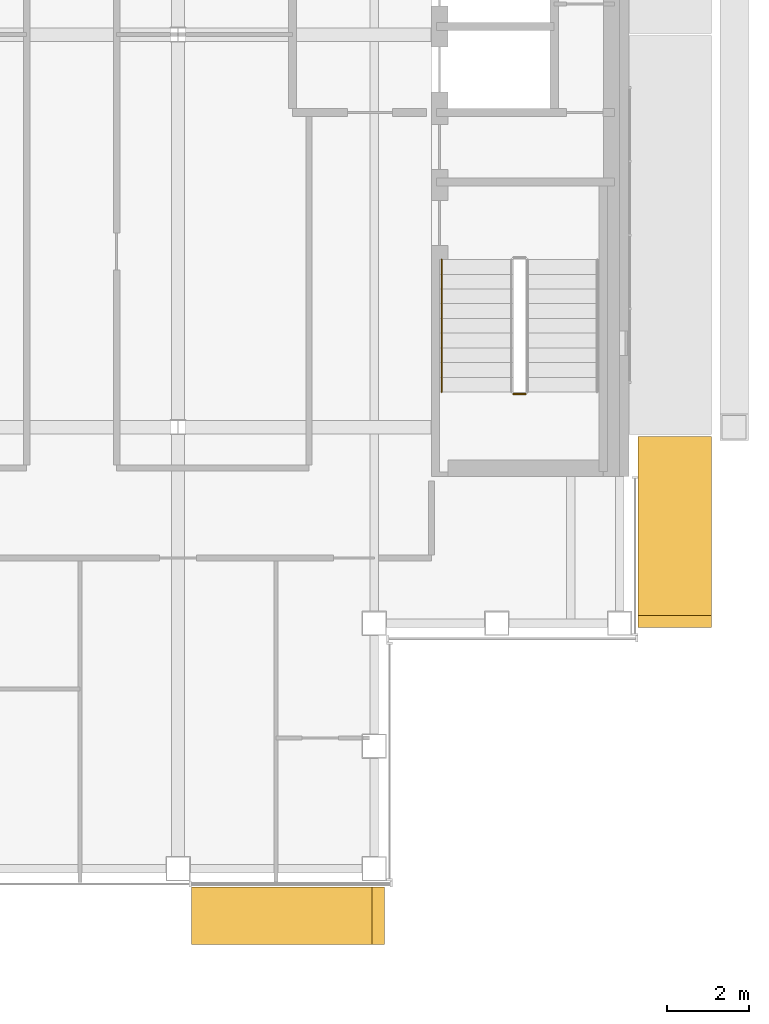
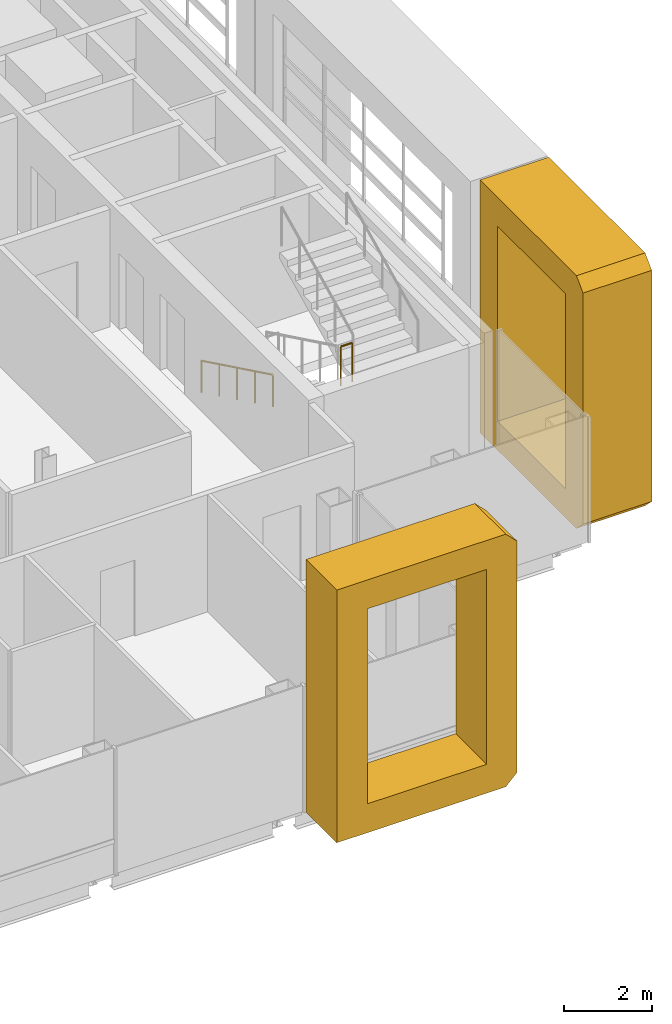
# One storey, part 19 of 23: 2 coverings, 2 railings.
"""IFC4 building model written with IfcOpenShell, lengths in metres."""

from ifc_helpers import new_model, si_unit, direction, frame, origin, origin_2d, place, context, subcontext, project, spatial, polyline, circle, outline, extrude, material, type_object, element, save


model = new_model("IFC4")

# Units and contexts
model_context = context("Model", 3, precision=1e-05, world=origin(), true_north=direction((0.0, 1.0)))
body_context = subcontext(model_context, "Body", "Model", "MODEL_VIEW")
ifc_project = project(units=[si_unit("LENGTHUNIT", "METRE"), si_unit("AREAUNIT", "SQUARE_METRE"), si_unit("VOLUMEUNIT", "CUBIC_METRE"), si_unit("PLANEANGLEUNIT", "RADIAN"), si_unit("MASSUNIT", "GRAM", prefix="KILO")], contexts=[model_context])

# Site, building, storey
site_placement = place(None, origin())
site = spatial("IfcSite", under=ifc_project, at=site_placement, CompositionType="ELEMENT")
building_placement = place(site_placement, origin())
building = spatial("IfcBuilding", under=site, at=building_placement, Name="Cobrizo Arcos Hotel Tower", CompositionType="ELEMENT")
storey_placement = place(building_placement, frame((0.0, 0.0, 262.0)))
storey = spatial("IfcBuildingStorey", under=building, at=storey_placement, Name="L69", CompositionType="ELEMENT", Elevation=262.0)

# Coverings
ifc_material_1 = material(Name="Aluminium 6063-T6 anodised bronze", Category="aluminium")
covering_type_1 = type_object("IfcCoveringType", Name="FIN-F 1400", PredefinedType="CLADDING", material=ifc_material_1)
covering_1_placement = place(storey_placement, frame((9.925048828125, -20.85009765625, 0.0), z_axis=(0.0, -1.0, 0.0), x_axis=(1.0, 0.0, 0.0)))
element("IfcCovering", 1, at=covering_1_placement, inside=storey, type_object=covering_type_1, Name="Fin frame 420", PredefinedType="CLADDING", context=body_context, shape_type="SweptSolid", body=[
    extrude(outline(polyline([(0.0, 7.0), (0.0, 0.0), (4.425048828125, 0.0), (4.72509765625, 0.300048828125), (4.72509765625, 6.699951171875), (4.425048828125, 7.0), (0.0, 7.0)]), holes=[polyline([(3.925048828125, 0.800048828125), (0.800048828125, 0.800048828125), (0.800048828125, 6.199951171875), (3.925048828125, 6.199951171875), (3.925048828125, 0.800048828125)])]), origin(), (0.0, 0.0, 1.0), 1.39990234375),
])
covering_type_2 = type_object("IfcCoveringType", Name="FIN-F 1800", PredefinedType="CLADDING", material=ifc_material_1)
covering_2_placement = place(storey_placement, frame((20.85009765625, -14.5, 0.0), z_axis=(1.0, 0.0, 0.0), x_axis=(0.0, 1.0, 0.0)))
element("IfcCovering", 2, at=covering_2_placement, inside=storey, type_object=covering_type_2, Name="Fin frame 391", PredefinedType="CLADDING", context=body_context, shape_type="SweptSolid", body=[
    extrude(outline(polyline([(0.0, 0.300048828125), (0.300048828125, 0.0), (4.675048828125, 0.0), (4.675048828125, 7.0), (0.300048828125, 7.0), (0.0, 6.699951171875), (0.0, 0.300048828125)]), holes=[polyline([(3.875, 0.800048828125), (0.800048828125, 0.800048828125), (0.800048828125, 6.199951171875), (3.875, 6.199951171875), (3.875, 0.800048828125)])]), origin(), (0.0, 0.0, 1.0), 1.7998046875),
])

# Railings
ifc_material_2 = material(Name="Stainless steel railing", Category="steel")
railing_type_1 = type_object("IfcRailingType", Name="Stair guard 1100", PredefinedType="GUARDRAIL", material=ifc_material_2)
railing_1_placement = place(storey_placement, frame((17.800048828125, -8.7900390625, 1.75)))
element("IfcRailing", 3, at=railing_1_placement, inside=storey, type_object=railing_type_1, Name="L69 ST-E stair guard 2", PredefinedType="GUARDRAIL", context=body_context, shape_type="SweptSolid", body=[
    extrude(circle(Radius=0.02392578125, at=origin_2d()), frame((0.0, 0.0, 1.076171875), z_axis=(1.0, 0.0, 0.0), x_axis=(0.0, 1.0, 0.0)), (0.0, 0.0, 1.0), 0.300048828125),
    extrude(circle(Radius=0.02099609375, at=origin_2d()), origin(), (0.0, 0.0, 1.0), 1.052001953125),
    extrude(circle(Radius=0.02099609375, at=origin_2d()), frame((0.300048828125, 0.0, 0.0)), (0.0, 0.0, 1.0), 1.052001953125),
])
railing_type_2 = type_object("IfcRailingType", Name="Stair handrail", PredefinedType="HANDRAIL", material=ifc_material_2)
railing_2_placement = place(storey_placement, frame((16.050048828125, -5.5, 0.175048828125)))
element("IfcRailing", 4, at=railing_2_placement, inside=storey, type_object=railing_type_2, Name="L69 ST-E stair handrail 1", PredefinedType="HANDRAIL", context=body_context, shape_type="SweptSolid", body=[
    extrude(circle(Radius=0.02392578125, at=origin_2d()), frame((0.0, 0.0, 0.8759765625), z_axis=(0.0, -0.899372665325, 0.437182809435), x_axis=(1.0, 0.0, 0.0)), (0.0, 0.0, 1.0), 3.6025390625),
    extrude(circle(Radius=0.02099609375, at=origin_2d()), origin(), (0.0, 0.0, 1.0), 0.851806640625),
    extrude(circle(Radius=0.02099609375, at=origin_2d()), frame((0.0, -0.81005859375, 0.393798828125)), (0.0, 0.0, 1.0), 0.851806640625),
    extrude(circle(Radius=0.02099609375, at=origin_2d()), frame((0.0, -1.6201171875, 0.78759765625)), (0.0, 0.0, 1.0), 0.851806640625),
    extrude(circle(Radius=0.02099609375, at=origin_2d()), frame((0.0, -2.429931640625, 1.18115234375)), (0.0, 0.0, 1.0), 0.851806640625),
    extrude(circle(Radius=0.02099609375, at=origin_2d()), frame((0.0, -3.239990234375, 1.574951171875)), (0.0, 0.0, 1.0), 0.851806640625),
])

save(model, "model.ifc")
